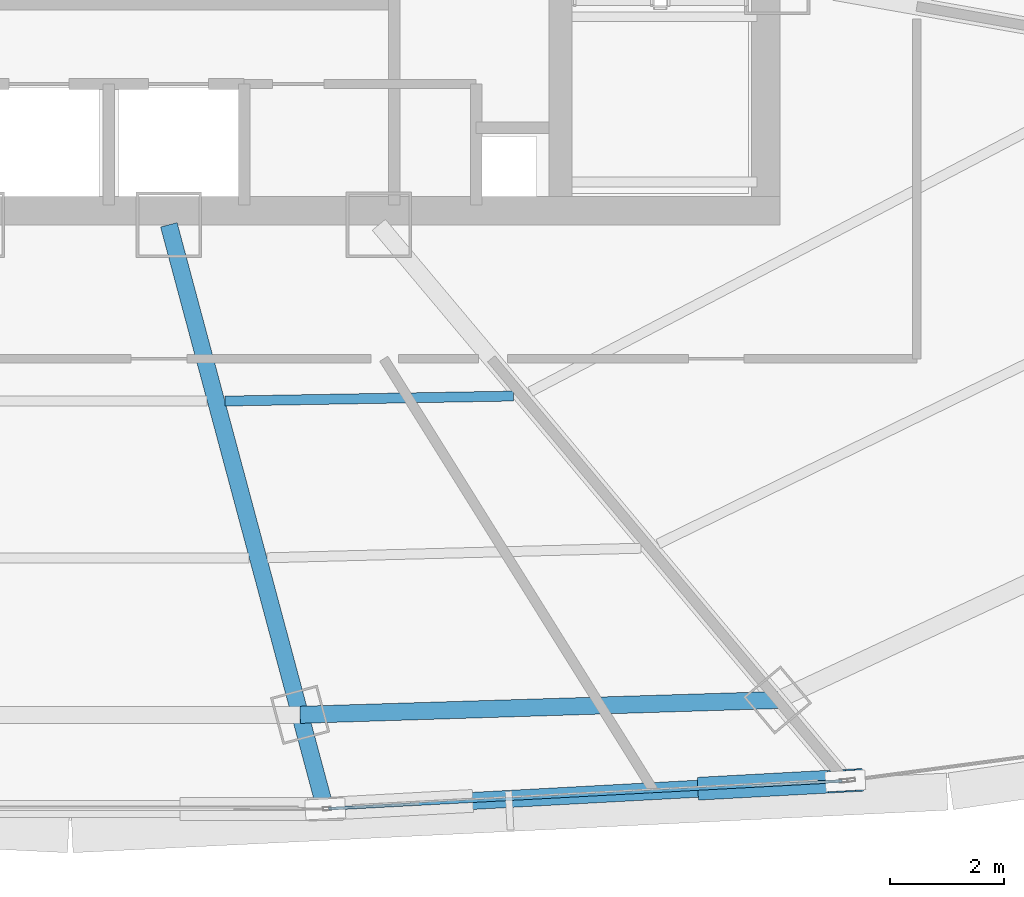
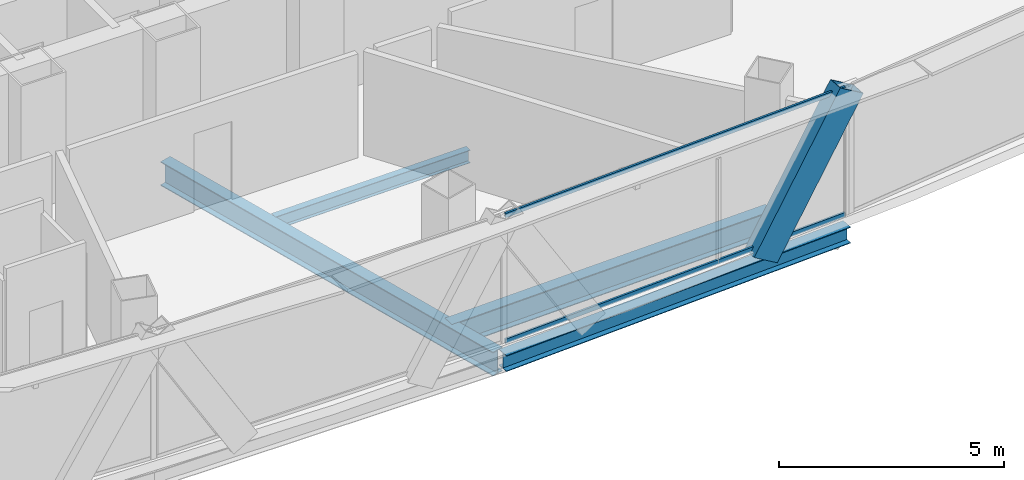
# One storey, part 11 of 37: 4 beams, 3 members, 1 element without a shape of its own.
"""IFC4 building model written with IfcOpenShell, lengths in metres."""

from ifc_helpers import new_model, si_unit, direction, frame, origin, origin_2d, place, context, subcontext, project, spatial, hollow_rectangle, i_section, extrude, source, transform, mapped, material, layer, layer_set, material_profile, profile_set, type_object, element, aggregate, save


model = new_model("IFC4")

# Units and contexts
model_context = context("Model", 3, precision=1e-05, world=origin(), true_north=direction((0.0, 1.0)))
body_context = subcontext(model_context, "Body", "Model", "MODEL_VIEW")
ifc_project = project(units=[si_unit("LENGTHUNIT", "METRE"), si_unit("AREAUNIT", "SQUARE_METRE"), si_unit("VOLUMEUNIT", "CUBIC_METRE"), si_unit("PLANEANGLEUNIT", "RADIAN"), si_unit("MASSUNIT", "GRAM", prefix="KILO"), si_unit("THERMODYNAMICTEMPERATUREUNIT", "KELVIN"), si_unit("POWERUNIT", "WATT")], contexts=[model_context])

# Site, building, storey
site_placement = place(None, origin())
site = spatial("IfcSite", under=ifc_project, at=site_placement, CompositionType="ELEMENT")
building_placement = place(site_placement, origin())
building = spatial("IfcBuilding", under=site, at=building_placement, Name="Yunzhuo Pagoda Commons", CompositionType="ELEMENT")
storey_placement = place(building_placement, frame((0.0, 0.0, 251.989990234375)))
storey = spatial("IfcBuildingStorey", under=building, at=storey_placement, Name="L63", CompositionType="ELEMENT", Elevation=251.989990234375)

# Beams
ifc_material_1 = material(Name="Structural steel Q355B", Category="steel")
ifc_material_profile_1 = material_profile(ifc_material_1, i_section(OverallWidth=0.300048828125, OverallDepth=0.64990234375, WebThickness=0.012939453125, FlangeThickness=0.02197265625, at=origin_2d()), Name="Structural steel Q355B")
ifc_profile_set_1 = profile_set([ifc_material_profile_1], Name="Structural steel Q355B")
beam_type_1 = type_object("IfcBeamType", Name="B-RG2 Beam HN 650x300x13x22", PredefinedType="BEAM", material=ifc_profile_set_1)
shared_shape_1 = source(origin(), body_context, "Body", "SweptSolid", [
    extrude(i_section(OverallWidth=0.300048828125, OverallDepth=0.64990234375, WebThickness=0.012939453125, FlangeThickness=0.02197265625, at=origin_2d()), origin(), (0.0, 0.0, 1.0), 8.37939453125),
])
beam_1_placement = place(storey_placement, frame((52.031494140625, 18.654052734375, -0.5849609375), z_axis=(0.999519382133, 0.031000076447, 0.0), x_axis=(-0.031000076447, 0.999519382133, 0.0)))
element("IfcBeam", 1, at=beam_1_placement, inside=storey, type_object=beam_type_1, Name="L63 column-ring beam 3", PredefinedType="BEAM", context=body_context, shape_type="MappedRepresentation", body=[
    mapped(shared_shape_1, transform((0.0, 0.0, 0.0), scale=1.0)),
])
ifc_material_profile_2 = material_profile(ifc_material_1, i_section(OverallWidth=0.175048828125, OverallDepth=0.35009765625, WebThickness=0.007080078125, FlangeThickness=0.010986328125, at=origin_2d()), Name="Structural steel Q355B")
ifc_profile_set_2 = profile_set([ifc_material_profile_2], Name="Structural steel Q355B")
beam_type_2 = type_object("IfcBeamType", Name="B-JS2 Joist HN 350x175x7x11", PredefinedType="JOIST", material=ifc_profile_set_2)
shared_shape_2 = source(origin(), body_context, "Body", "SweptSolid", [
    extrude(i_section(OverallWidth=0.175048828125, OverallDepth=0.35009765625, WebThickness=0.007080078125, FlangeThickness=0.010986328125, at=origin_2d()), origin(), (0.0, 0.0, 1.0), 5.0556640625),
])
beam_2_placement = place(storey_placement, frame((50.716552734375, 24.158203125, -0.43505859375), z_axis=(0.999848878561, 0.017384477, 0.0), x_axis=(-0.017384477, 0.999848878561, 0.0)))
element("IfcBeam", 2, at=beam_2_placement, inside=storey, type_object=beam_type_2, Name="L63 composite ring joist 1.3", PredefinedType="JOIST", context=body_context, shape_type="MappedRepresentation", body=[
    mapped(shared_shape_2, transform((0.0, 0.0, 0.0), scale=1.0)),
])
shared_shape_3 = source(origin(), body_context, "Body", "SweptSolid", [
    extrude(i_section(OverallWidth=0.300048828125, OverallDepth=0.64990234375, WebThickness=0.012939453125, FlangeThickness=0.02197265625, at=origin_2d()), origin(), (0.0, 0.0, 1.0), 10.4521484375),
])
beam_3_placement = place(storey_placement, frame((52.43359375, 17.154052734375, -0.5849609375), z_axis=(-0.258808083979, 0.965928763247, 0.0), x_axis=(-0.965928763247, -0.258808083979, 0.0)))
element("IfcBeam", 3, at=beam_3_placement, inside=storey, type_object=beam_type_1, Name="L63 radial floor girder F1C3", PredefinedType="BEAM", context=body_context, shape_type="MappedRepresentation", body=[
    mapped(shared_shape_3, transform((0.0, 0.0, 0.0), scale=1.0)),
])
ifc_material_profile_3 = material_profile(ifc_material_1, i_section(OverallWidth=0.300048828125, OverallDepth=0.43994140625, WebThickness=0.010986328125, FlangeThickness=0.01806640625, at=origin_2d()), Name="Structural steel Q355B")
ifc_profile_set_3 = profile_set([ifc_material_profile_3], Name="Structural steel Q355B")
beam_type_3 = type_object("IfcBeamType", Name="B-SP2 Beam HM 440x300x11x18", PredefinedType="BEAM", material=ifc_profile_set_3)
shared_shape_4 = source(origin(), body_context, "Body", "SweptSolid", [
    extrude(i_section(OverallWidth=0.300048828125, OverallDepth=0.43994140625, WebThickness=0.010986328125, FlangeThickness=0.01806640625, at=origin_2d()), origin(), (0.0, 0.0, 1.0), 9.13525390625),
])
beam_4_placement = place(storey_placement, frame((52.4736328125, 17.004638671875, -0.47998046875), z_axis=(0.99854316853, 0.053958693286, 0.0), x_axis=(-0.053958693286, 0.99854316853, 0.0)))
element("IfcBeam", 4, at=beam_4_placement, inside=storey, type_object=beam_type_3, Name="L63 facade edge spandrel beam F1.3", PredefinedType="BEAM", context=body_context, shape_type="MappedRepresentation", body=[
    mapped(shared_shape_4, transform((0.0, 0.0, 0.0), scale=1.0)),
])

# Member
ifc_material_profile_4 = material_profile(ifc_material_1, hollow_rectangle(XDim=0.39990234375, YDim=0.719970703125, WallThickness=0.02392578125, at=origin_2d()), Name="Structural steel Q355B")
ifc_profile_set_4 = profile_set([ifc_material_profile_4], Name="Structural steel Q355B")
member_type_1 = type_object("IfcMemberType", Name="M-DL2 Brace BOX 720x400x24", PredefinedType="BRACE", material=ifc_profile_set_4)
shared_shape_5 = source(origin(), body_context, "Body", "SweptSolid", [
    extrude(hollow_rectangle(XDim=0.39990234375, YDim=0.719970703125, WallThickness=0.02392578125, at=origin_2d()), origin(), (0.0, 0.0, 1.0), 4.37353515625),
])
member_1_placement = place(storey_placement, frame((59.31494140625, 17.374267578125, -0.259765625), z_axis=(0.521448228754, 0.028190916981, 0.852817106377), x_axis=(-0.053983900233, 0.998541806093, 0.0)))
element("IfcMember", 5, at=member_1_placement, inside=storey, type_object=member_type_1, Name="L63 facade diamond brace F1.3R", PredefinedType="BRACE", context=body_context, shape_type="MappedRepresentation", body=[
    mapped(shared_shape_5, transform((0.0, 0.0, 0.0), scale=1.0)),
])

# Curtain wall, members
ifc_material_2 = material(Name="Anodized aluminium 6063-T6", Category="aluminium")
ifc_layer = layer(ifc_material_2, 0.139892578125)
ifc_layer_set = layer_set([ifc_layer], Name="Anodized aluminium 6063-T6")
curtain_wall_type = type_object("IfcCurtainWallType", Name="CW-HI High-Zone Ribbon Curtain Wall", PredefinedType="NOTDEFINED", material=ifc_layer_set)
curtain_wall_placement = place(storey_placement, origin())
curtain_wall = element("IfcCurtainWall", 6, at=curtain_wall_placement, inside=storey, type_object=curtain_wall_type, Name="L63 curtain wall CW-L63-F1B4", PredefinedType="NOTDEFINED")
ifc_material_profile_5 = material_profile(ifc_material_2, hollow_rectangle(XDim=0.054931640625, YDim=0.1201171875, WallThickness=0.00341796875, at=origin_2d()), Name="Anodized aluminium 6063-T6")
ifc_profile_set_5 = profile_set([ifc_material_profile_5], Name="Anodized aluminium 6063-T6")
member_type_2 = type_object("IfcMemberType", Name="CW-HI-T Transom RHS 120x55x3.5", PredefinedType="USERDEFINED", material=ifc_profile_set_5)
shared_shape_6 = source(origin(), body_context, "Body", "SweptSolid", [
    extrude(hollow_rectangle(XDim=0.054931640625, YDim=0.1201171875, WallThickness=0.00341796875, at=origin_2d()), origin(), (0.0, 0.0, 1.0), 9.015625),
])
member_2_placement = place(storey_placement, frame((52.533447265625, 17.007568359375, 0.027587890625), z_axis=(0.998542549388, 0.053970149724, 0.0), x_axis=(-0.053970149724, 0.998542549388, 0.0)))
member_2 = element("IfcMember", 7, at=member_2_placement, type_object=member_type_2, Name="CW transom 1.1", ObjectType="TRANSOM", PredefinedType="USERDEFINED", context=body_context, shape_type="MappedRepresentation", body=[
    mapped(shared_shape_6, transform((0.0, 0.0, 0.0), scale=1.0)),
])
member_3_placement = place(storey_placement, frame((52.533447265625, 17.007568359375, 3.442626953125), z_axis=(0.998542549388, 0.053970149724, 0.0), x_axis=(-0.053970149724, 0.998542549388, 0.0)))
member_3 = element("IfcMember", 8, at=member_3_placement, type_object=member_type_2, Name="CW transom 1.2", ObjectType="TRANSOM", PredefinedType="USERDEFINED", context=body_context, shape_type="MappedRepresentation", body=[
    mapped(shared_shape_6, transform((0.0, 0.0, 0.0), scale=1.0)),
])
aggregate(curtain_wall, [member_2, member_3])

save(model, "model.ifc")
